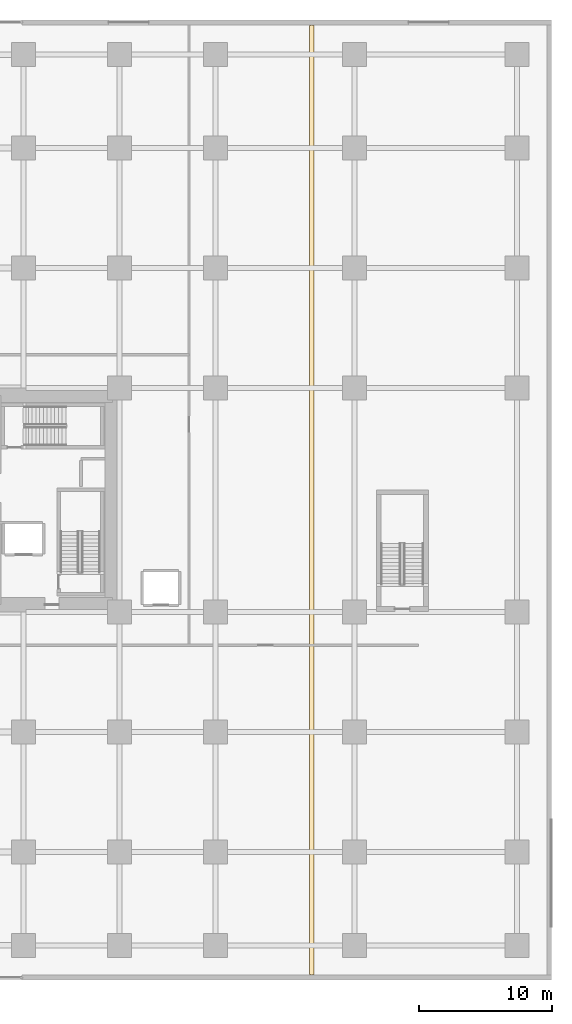
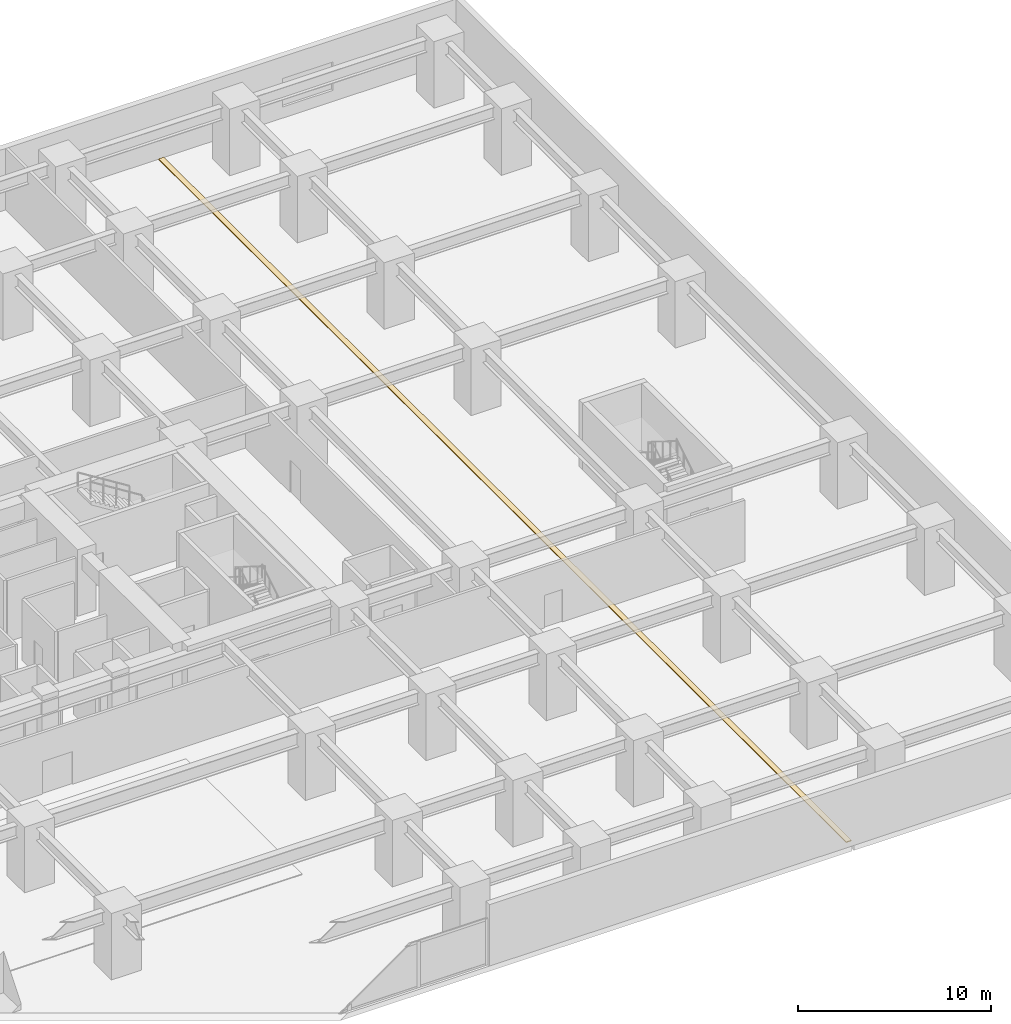
# One storey, part 21 of 22: 1 covering.
"""IFC4 building model written with IfcOpenShell, lengths in metres."""

import ifcopenshell
import ifcopenshell.guid

model = None  # the IFC model being written
_history = None  # IfcOwnerHistory: only IFC2X3 demands one
_inside = {}  # id of a spatial element -> (the spatial element, [elements in it])
_under = {}  # id of a project, library or spatial element -> (it, [spatial elements below it])
_declared = {}  # id of a project -> (the project, [libraries it declares])
_typed = {}  # id of a type object -> (the type object, [elements of that type])
_made_of = {}  # id of a material, layer set ... -> (it, [elements and type objects made of it])


def new_model(schema):
    """Start an empty IFC model of exactly this schema.

    Asked for "IFC4X3", IfcOpenShell would pick the latest addendum, in which some entities
    have other attributes; the version numbers below select the first issue.
    IFC2X3 requires an IfcOwnerHistory on every rooted entity: one is made here for all.
    """
    global model, _history
    if schema == "IFC4X3":
        model = ifcopenshell.file(schema_version=(4, 3, 0, 0))
    else:
        model = ifcopenshell.file(schema=schema)
    _inside.clear()
    _under.clear()
    _declared.clear()
    _typed.clear()
    _made_of.clear()
    _history = None
    if model.schema == "IFC2X3":
        org = make("IfcOrganization", Name="unknown")
        user = make(
            "IfcPersonAndOrganization",
            ThePerson=make("IfcPerson", FamilyName="unknown"),
            TheOrganization=org,
        )
        app = make(
            "IfcApplication",
            ApplicationDeveloper=org,
            Version="unknown",
            ApplicationFullName="unknown",
            ApplicationIdentifier="unknown",
        )
        _history = make(
            "IfcOwnerHistory",
            OwningUser=user,
            OwningApplication=app,
            ChangeAction="ADDED",
            CreationDate=0,
        )
    return model


def make(cls, **values):
    """One entity of the class cls with the attributes given. An attribute that is None is left unset."""
    return model.create_entity(
        cls, **{name: value for name, value in values.items() if value is not None}
    )


def rooted(cls, **values):
    """An entity with a GlobalId (a new one), such as an element, a storey or a relation."""
    return make(cls, GlobalId=ifcopenshell.guid.new(), OwnerHistory=_history, **values)


def si_unit(unit_type, name, prefix=None):
    """IfcSIUnit, for example si_unit("LENGTHUNIT", "METRE", prefix="MILLI")."""
    return make("IfcSIUnit", UnitType=unit_type, Prefix=prefix, Name=name)


def assignment(units):
    """IfcUnitAssignment: the units of a project."""
    return None if units is None else make("IfcUnitAssignment", Units=units)


def point(xyz):
    """IfcCartesianPoint."""
    return None if xyz is None else make("IfcCartesianPoint", Coordinates=xyz)


def direction(xyz):
    """IfcDirection."""
    return None if xyz is None else make("IfcDirection", DirectionRatios=xyz)


def frame(location, z_axis=None, x_axis=None):
    """IfcAxis2Placement3D, a coordinate frame: its origin and axes. An axis left out is left unset."""
    return make(
        "IfcAxis2Placement3D",
        Location=point(location),
        Axis=direction(z_axis),
        RefDirection=direction(x_axis),
    )


def origin():
    """The frame at (0, 0, 0) with its axes left unset."""
    return frame((0.0, 0.0, 0.0))


def place(relative_to, where):
    """IfcLocalPlacement: puts the frame where relative to a parent placement (None: the world)."""
    return make(
        "IfcLocalPlacement", PlacementRelTo=relative_to, RelativePlacement=where
    )


def context(
    kind, dimensions, precision=None, world=None, true_north=None, identifier=None
):
    """IfcGeometricRepresentationContext, for example the 3D "Model" context."""
    return make(
        "IfcGeometricRepresentationContext",
        ContextIdentifier=identifier,
        ContextType=kind,
        CoordinateSpaceDimension=dimensions,
        Precision=precision,
        WorldCoordinateSystem=world,
        TrueNorth=true_north,
    )


def subcontext(parent, identifier, kind, view, scale=None):
    """IfcGeometricRepresentationSubContext, for example "Body" below "Model"."""
    return make(
        "IfcGeometricRepresentationSubContext",
        ContextIdentifier=identifier,
        ContextType=kind,
        ParentContext=parent,
        TargetScale=scale,
        TargetView=view,
    )


def project(units=None, contexts=None):
    """IfcProject with its units and contexts."""
    return rooted(
        "IfcProject",
        Name="project",
        RepresentationContexts=contexts,
        UnitsInContext=assignment(units),
    )


def spatial(cls, under=None, at=None, **own):
    """A site, building, storey or space (cls), placed at a placement, below another one or the project."""
    s = rooted(cls, ObjectPlacement=at, **own)
    if under is not None:
        _under.setdefault(under.id(), (under, []))[1].append(s)
    return s


def polyline(points):
    """IfcPolyline through the points."""
    return make("IfcPolyline", Points=[point(p) for p in points])


def outline(outer, holes=None, kind="AREA"):
    """IfcArbitraryClosedProfileDef: a profile drawn as a closed curve; with holes, ...WithVoids."""
    if holes is None:
        return make("IfcArbitraryClosedProfileDef", ProfileType=kind, OuterCurve=outer)
    return make(
        "IfcArbitraryProfileDefWithVoids",
        ProfileType=kind,
        OuterCurve=outer,
        InnerCurves=holes,
    )


def extrude(swept, where, along, depth):
    """IfcExtrudedAreaSolid: the profile swept, set in the frame where, extruded along a direction by depth."""
    return make(
        "IfcExtrudedAreaSolid",
        SweptArea=swept,
        Position=where,
        ExtrudedDirection=direction(along),
        Depth=depth,
    )


def shape(context_of_items, identifier, shape_type, items):
    """IfcShapeRepresentation: the items that make up one representation, for example the "Body"."""
    return make(
        "IfcShapeRepresentation",
        ContextOfItems=context_of_items,
        RepresentationIdentifier=identifier,
        RepresentationType=shape_type,
        Items=items,
    )


def material(Name=None, Category=None):
    """IfcMaterial."""
    return make("IfcMaterial", Name=Name, Category=Category)


def layer(
    of_material, thickness, ventilated=None, Name=None, Category=None, Priority=None
):
    """IfcMaterialLayer: one layer of a wall or slab, of a material (None: an air gap)."""
    return make(
        "IfcMaterialLayer",
        Material=of_material,
        LayerThickness=thickness,
        IsVentilated=ventilated,
        Name=Name,
        Category=Category,
        Priority=Priority,
    )


def layer_set(layers, Name=None):
    """IfcMaterialLayerSet."""
    return make("IfcMaterialLayerSet", MaterialLayers=layers, LayerSetName=Name)


def made_of(thing, what):
    """Note that an element or type object is made of a material, layer set ...; save() writes the relation."""
    if what is not None:
        _made_of.setdefault(what.id(), (what, []))[1].append(thing)
    return thing


def type_object(cls, material=None, **own):
    """A type object (cls), such as IfcWallType, which elements share."""
    return made_of(rooted(cls, **own), material)


def element(
    cls,
    number,
    at=None,
    inside=None,
    cuts=None,
    type_object=None,
    material=None,
    context=None,
    identifier="Body",
    shape_type=None,
    held_by="IfcProductDefinitionShape",
    body=None,
    shapes=None,
    **own,
):
    """One element of the class cls, such as IfcWall. Its Tag is "e" and its number.

    at: its placement. inside: the storey or other place that contains it. cuts: it is an
    opening in that element (IfcRelVoidsElement). A single representation is given by context,
    identifier, shape_type and body (its items); several are given by shapes. held_by: the class
    of the entity that holds the representations. save() writes the other relations.
    """
    e = rooted(cls, Tag="e%d" % number, ObjectPlacement=at, **own)
    if body is not None:
        shapes = [shape(context, identifier, shape_type, body)]
    if shapes is not None:
        e.Representation = make(held_by, Representations=shapes)
    if inside is not None:
        _inside.setdefault(inside.id(), (inside, []))[1].append(e)
    if cuts is not None:
        rooted(
            "IfcRelVoidsElement", RelatingBuildingElement=cuts, RelatedOpeningElement=e
        )
    if type_object is not None:
        _typed.setdefault(type_object.id(), (type_object, []))[1].append(e)
    return made_of(e, material)


def aggregate(whole, parts):
    """IfcRelAggregates: a whole, such as a stair, and the parts it consists of."""
    return rooted("IfcRelAggregates", RelatingObject=whole, RelatedObjects=parts)


def save(model, path):
    """Write the relations noted so far, then the file.

    IfcRelAggregates (storeys below a building ...), IfcRelContainedInSpatialStructure (elements
    in a storey), IfcRelDefinesByType, IfcRelAssociatesMaterial and IfcRelDeclares: one each for
    every whole, place, type object, material and project.
    """
    for whole, parts in _under.values():
        aggregate(whole, parts)
    for where, things in _inside.values():
        rooted(
            "IfcRelContainedInSpatialStructure",
            RelatedElements=things,
            RelatingStructure=where,
        )
    for kind, things in _typed.values():
        rooted("IfcRelDefinesByType", RelatedObjects=things, RelatingType=kind)
    for what, things in _made_of.values():
        rooted("IfcRelAssociatesMaterial", RelatedObjects=things, RelatingMaterial=what)
    for by, libraries in _declared.values():
        rooted("IfcRelDeclares", RelatingContext=by, RelatedDefinitions=libraries)
    model.write(path)


model = new_model("IFC4")

# Units and contexts
model_context = context("Model", 3, precision=1e-05, world=origin(), true_north=direction((0.0, 1.0)))
body_context = subcontext(model_context, "Body", "Model", "MODEL_VIEW")
ifc_project = project(units=[si_unit("LENGTHUNIT", "METRE"), si_unit("AREAUNIT", "SQUARE_METRE"), si_unit("VOLUMEUNIT", "CUBIC_METRE"), si_unit("PLANEANGLEUNIT", "RADIAN"), si_unit("MASSUNIT", "GRAM", prefix="KILO")], contexts=[model_context])

# Site, building, storey
site_placement = place(None, origin())
site = spatial("IfcSite", under=ifc_project, at=site_placement, CompositionType="ELEMENT")
building_placement = place(site_placement, origin())
building = spatial("IfcBuilding", under=site, at=building_placement, Name="Kiyonajd Concourse Tower", CompositionType="ELEMENT")
storey_placement = place(building_placement, frame((0.0, 0.0, 4.5)))
storey = spatial("IfcBuildingStorey", under=building, at=storey_placement, Name="L02", CompositionType="ELEMENT", Elevation=4.5)

# Covering
ifc_material = material(Name="Riyadh Jubaila Limestone", Category="masonry")
ifc_layer = layer(ifc_material, 0.050048828125)
ifc_layer_set = layer_set([ifc_layer], Name="Riyadh Jubaila Limestone")
covering_type = type_object("IfcCoveringType", Name="CV-FLR-RAISED", PredefinedType="FLOORING", material=ifc_layer_set)
covering_placement = place(storey_placement, origin())
element("IfcCovering", 1, at=covering_placement, inside=storey, type_object=covering_type, Name="L02 Seismic Movement Joint MJ1 Floor Cover Assembly", PredefinedType="FLOORING", context=body_context, shape_type="SweptSolid", body=[
    extrude(outline(polyline([(77.840087890625, 0.39990234375), (78.159912109375, 0.39990234375), (78.159912109375, 71.60009765625), (77.840087890625, 71.60009765625), (77.840087890625, 0.39990234375)])), origin(), (0.0, 0.0, 1.0), 0.050048828125),
])

save(model, "model.ifc")
